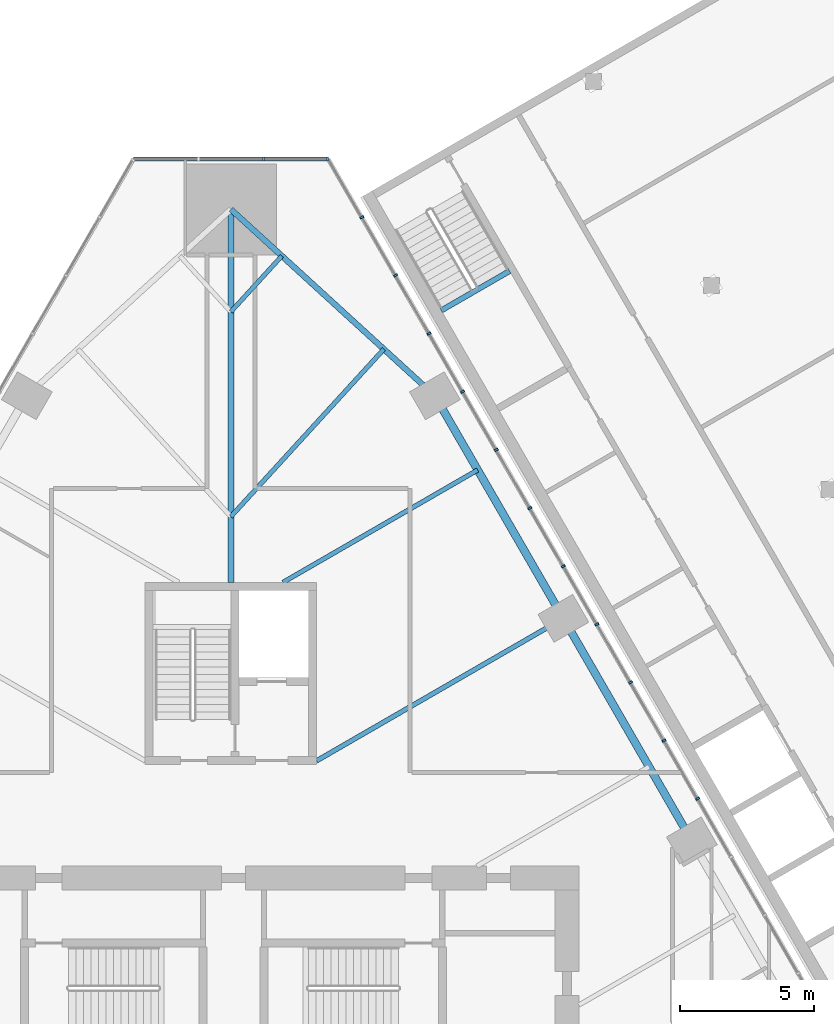
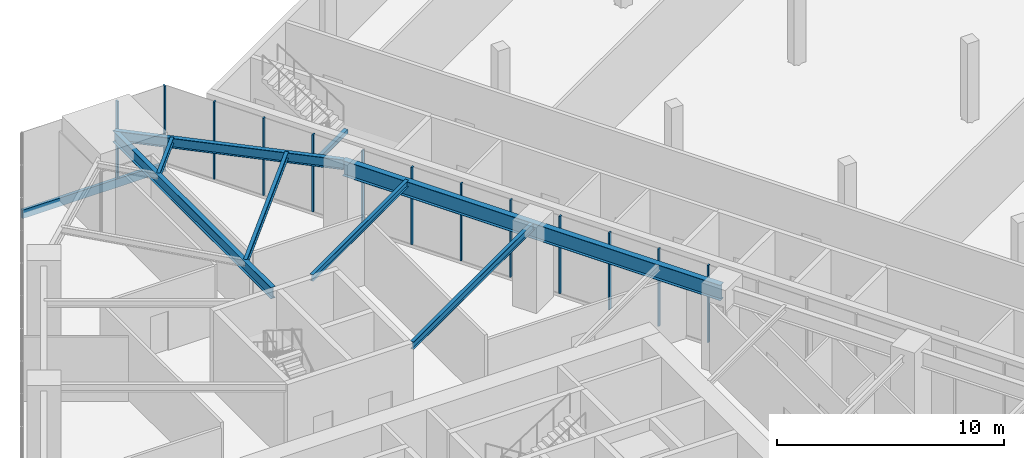
# One storey, part 12 of 29: 14 members, 8 beams, 2 elements without a shape of their own.
"""IFC4 building model written with IfcOpenShell, lengths in metres."""

from ifc_helpers import new_model, si_unit, direction, frame, origin, origin_2d, place, context, subcontext, project, spatial, rectangle, i_section, extrude, material, layer, layer_set, material_profile, profile_set, type_object, element, aggregate, save


model = new_model("IFC4")

# Units and contexts
model_context = context("Model", 3, precision=1e-05, world=origin(), true_north=direction((0.0, 1.0)))
body_context = subcontext(model_context, "Body", "Model", "MODEL_VIEW")
ifc_project = project(units=[si_unit("LENGTHUNIT", "METRE"), si_unit("AREAUNIT", "SQUARE_METRE"), si_unit("VOLUMEUNIT", "CUBIC_METRE"), si_unit("PLANEANGLEUNIT", "RADIAN"), si_unit("MASSUNIT", "GRAM", prefix="KILO")], contexts=[model_context])

# Site, building, storey
site_placement = place(None, origin())
site = spatial("IfcSite", under=ifc_project, at=site_placement, CompositionType="ELEMENT")
building_placement = place(site_placement, origin())
building = spatial("IfcBuilding", under=site, at=building_placement, Name="Firuza Gate Tower and Library", CompositionType="ELEMENT")
storey_placement = place(building_placement, frame((0.0, 0.0, 17.199951171875)))
storey = spatial("IfcBuildingStorey", under=building, at=storey_placement, Name="L03", CompositionType="ELEMENT", Elevation=17.199951171875)

# Curtain wall, members
ifc_material_1 = material(Name="Aluminium 6063-T6", Category="aluminium")
ifc_layer = layer(ifc_material_1, 0.14990234375)
ifc_layer_set = layer_set([ifc_layer], Name="Stick curtain wall, podium")
curtain_wall_type = type_object("IfcCurtainWallType", Name="Stick curtain wall, podium", PredefinedType="NOTDEFINED", material=ifc_layer_set)
placement = place(storey_placement, origin())
curtain_wall_1 = element("IfcCurtainWall", 1, at=placement, inside=storey, type_object=curtain_wall_type, Name="CW5 L03 E", PredefinedType="NOTDEFINED")
ifc_material_2 = material(Name="Aluminium 6063-T6", Category="aluminium")
ifc_material_profile_1 = material_profile(ifc_material_2, rectangle(XDim=0.14990234375, YDim=0.080078125, at=origin_2d()))
ifc_profile_set_1 = profile_set([ifc_material_profile_1], Name="Aluminium 6063-T6")
member_type_1 = type_object("IfcMemberType", Name="Curtain wall mullion 80x150", PredefinedType="MULLION", material=ifc_profile_set_1)
member_1_placement = place(storey_placement, frame((92.43798828125, 86.515869140625, 0.150146484375), z_axis=(0.0, 0.0, 1.0), x_axis=(-0.866025403784, -0.5, 0.0)))
member_1 = element("IfcMember", 2, at=member_1_placement, type_object=member_type_1, Name="Mullion", PredefinedType="MULLION", context=body_context, shape_type="SweptSolid", body=[
    extrude(rectangle(XDim=0.14990234375, YDim=0.080078125, at=origin_2d()), origin(), (0.0, 0.0, 1.0), 4.14990234375),
])
member_2_placement = place(storey_placement, frame((91.183837890625, 88.68798828125, 0.150146484375), z_axis=(0.0, 0.0, 1.0), x_axis=(-0.866025403784, -0.5, 0.0)))
member_2 = element("IfcMember", 3, at=member_2_placement, type_object=member_type_1, Name="Mullion", PredefinedType="MULLION", context=body_context, shape_type="SweptSolid", body=[
    extrude(rectangle(XDim=0.14990234375, YDim=0.080078125, at=origin_2d()), origin(), (0.0, 0.0, 1.0), 4.14990234375),
])
member_3_placement = place(storey_placement, frame((89.929931640625, 90.860107421875, 0.150146484375), z_axis=(0.0, 0.0, 1.0), x_axis=(-0.866025403784, -0.5, 0.0)))
member_3 = element("IfcMember", 4, at=member_3_placement, type_object=member_type_1, Name="Mullion", PredefinedType="MULLION", context=body_context, shape_type="SweptSolid", body=[
    extrude(rectangle(XDim=0.14990234375, YDim=0.080078125, at=origin_2d()), origin(), (0.0, 0.0, 1.0), 4.14990234375),
])
member_4_placement = place(storey_placement, frame((88.67578125, 93.0322265625, 0.150146484375), z_axis=(0.0, 0.0, 1.0), x_axis=(-0.866025403784, -0.5, 0.0)))
member_4 = element("IfcMember", 5, at=member_4_placement, type_object=member_type_1, Name="Mullion", PredefinedType="MULLION", context=body_context, shape_type="SweptSolid", body=[
    extrude(rectangle(XDim=0.14990234375, YDim=0.080078125, at=origin_2d()), origin(), (0.0, 0.0, 1.0), 4.14990234375),
])
member_5_placement = place(storey_placement, frame((87.421630859375, 95.2041015625, 0.150146484375), z_axis=(0.0, 0.0, 1.0), x_axis=(-0.866025403784, -0.5, 0.0)))
member_5 = element("IfcMember", 6, at=member_5_placement, type_object=member_type_1, Name="Mullion", PredefinedType="MULLION", context=body_context, shape_type="SweptSolid", body=[
    extrude(rectangle(XDim=0.14990234375, YDim=0.080078125, at=origin_2d()), origin(), (0.0, 0.0, 1.0), 4.14990234375),
])
member_6_placement = place(storey_placement, frame((86.167724609375, 97.376220703125, 0.150146484375), z_axis=(0.0, 0.0, 1.0), x_axis=(-0.866025403784, -0.5, 0.0)))
member_6 = element("IfcMember", 7, at=member_6_placement, type_object=member_type_1, Name="Mullion", PredefinedType="MULLION", context=body_context, shape_type="SweptSolid", body=[
    extrude(rectangle(XDim=0.14990234375, YDim=0.080078125, at=origin_2d()), origin(), (0.0, 0.0, 1.0), 4.14990234375),
])
member_7_placement = place(storey_placement, frame((84.91357421875, 99.54833984375, 0.150146484375), z_axis=(0.0, 0.0, 1.0), x_axis=(-0.866025403784, -0.5, 0.0)))
member_7 = element("IfcMember", 8, at=member_7_placement, type_object=member_type_1, Name="Mullion", PredefinedType="MULLION", context=body_context, shape_type="SweptSolid", body=[
    extrude(rectangle(XDim=0.14990234375, YDim=0.080078125, at=origin_2d()), origin(), (0.0, 0.0, 1.0), 4.14990234375),
])
member_8_placement = place(storey_placement, frame((83.659423828125, 101.720458984375, 0.150146484375), z_axis=(0.0, 0.0, 1.0), x_axis=(-0.866025403784, -0.5, 0.0)))
member_8 = element("IfcMember", 9, at=member_8_placement, type_object=member_type_1, Name="Mullion", PredefinedType="MULLION", context=body_context, shape_type="SweptSolid", body=[
    extrude(rectangle(XDim=0.14990234375, YDim=0.080078125, at=origin_2d()), origin(), (0.0, 0.0, 1.0), 4.14990234375),
])
member_9_placement = place(storey_placement, frame((82.405517578125, 103.892578125, 0.150146484375), z_axis=(0.0, 0.0, 1.0), x_axis=(-0.866025403784, -0.5, 0.0)))
member_9 = element("IfcMember", 10, at=member_9_placement, type_object=member_type_1, Name="Mullion", PredefinedType="MULLION", context=body_context, shape_type="SweptSolid", body=[
    extrude(rectangle(XDim=0.14990234375, YDim=0.080078125, at=origin_2d()), origin(), (0.0, 0.0, 1.0), 4.14990234375),
])
member_10_placement = place(storey_placement, frame((81.1513671875, 106.064697265625, 0.150146484375), z_axis=(0.0, 0.0, 1.0), x_axis=(-0.866025403784, -0.5, 0.0)))
member_10 = element("IfcMember", 11, at=member_10_placement, type_object=member_type_1, Name="Mullion", PredefinedType="MULLION", context=body_context, shape_type="SweptSolid", body=[
    extrude(rectangle(XDim=0.14990234375, YDim=0.080078125, at=origin_2d()), origin(), (0.0, 0.0, 1.0), 4.14990234375),
])
member_11_placement = place(storey_placement, frame((79.8974609375, 108.23681640625, 0.150146484375), z_axis=(0.0, 0.0, 1.0), x_axis=(-0.866025403784, -0.5, 0.0)))
member_11 = element("IfcMember", 12, at=member_11_placement, type_object=member_type_1, Name="Mullion", PredefinedType="MULLION", context=body_context, shape_type="SweptSolid", body=[
    extrude(rectangle(XDim=0.14990234375, YDim=0.080078125, at=origin_2d()), origin(), (0.0, 0.0, 1.0), 4.14990234375),
])
aggregate(curtain_wall_1, [member_1, member_2, member_3, member_4, member_5, member_6, member_7, member_8, member_9, member_10, member_11])

curtain_wall_2 = element("IfcCurtainWall", 13, at=placement, inside=storey, type_object=curtain_wall_type, Name="CW5 L03 N", PredefinedType="NOTDEFINED")
member_12_placement = place(storey_placement, frame((78.603271484375, 110.408935546875, 0.150146484375), z_axis=(0.0, 0.0, 1.0), x_axis=(0.0, -1.0, 0.0)))
member_12 = element("IfcMember", 14, at=member_12_placement, type_object=member_type_1, Name="Mullion", PredefinedType="MULLION", context=body_context, shape_type="SweptSolid", body=[
    extrude(rectangle(XDim=0.14990234375, YDim=0.080078125, at=origin_2d()), origin(), (0.0, 0.0, 1.0), 4.14990234375),
])
member_13_placement = place(storey_placement, frame((76.21435546875, 110.408935546875, 0.150146484375), z_axis=(0.0, 0.0, 1.0), x_axis=(0.0, -1.0, 0.0)))
member_13 = element("IfcMember", 15, at=member_13_placement, type_object=member_type_1, Name="Mullion", PredefinedType="MULLION", context=body_context, shape_type="SweptSolid", body=[
    extrude(rectangle(XDim=0.14990234375, YDim=0.080078125, at=origin_2d()), origin(), (0.0, 0.0, 1.0), 4.14990234375),
])
ifc_material_3 = material(Name="Aluminium 6063-T6", Category="aluminium")
ifc_material_profile_2 = material_profile(ifc_material_3, rectangle(XDim=0.14990234375, YDim=0.449951171875, at=origin_2d()))
ifc_profile_set_2 = profile_set([ifc_material_profile_2], Name="Aluminium 6063-T6")
member_type_2 = type_object("IfcMemberType", Name="Curtain wall transom 450x150", PredefinedType="USERDEFINED", material=ifc_profile_set_2)
member_14_placement = place(storey_placement, frame((78.643310546875, 110.408935546875, -0.074951171875), z_axis=(-1.0, 0.0, 0.0), x_axis=(0.0, -1.0, 0.0)))
member_14 = element("IfcMember", 16, at=member_14_placement, type_object=member_type_2, Name="Transom", ObjectType="TRANSOM", PredefinedType="USERDEFINED", context=body_context, shape_type="SweptSolid", body=[
    extrude(rectangle(XDim=0.14990234375, YDim=0.449951171875, at=origin_2d()), origin(), (0.0, 0.0, 1.0), 7.28662109375),
])
aggregate(curtain_wall_2, [member_12, member_13, member_14])

# Beams
ifc_material_4 = material(Name="Concrete C40/50", Category="concrete")
ifc_material_profile_3 = material_profile(ifc_material_4, rectangle(XDim=0.199951171875, YDim=0.199951171875, at=origin_2d()))
ifc_profile_set_3 = profile_set([ifc_material_profile_3], Name="Concrete C40/50")
beam_type_1 = type_object("IfcBeamType", Name="LIB LANDING BEARER 200X200", PredefinedType="BEAM", material=ifc_profile_set_3)
beam_1_placement = place(storey_placement, frame((82.859375, 104.75634765625, 2.0), z_axis=(0.866060182126, 0.499939757307, 0.0), x_axis=(-0.499939757307, 0.866060182126, 0.0)))
element("IfcBeam", 17, at=beam_1_placement, inside=storey, type_object=beam_type_1, Name="LIB-ST-A landing bearer L03", PredefinedType="BEAM", context=body_context, shape_type="SweptSolid", body=[
    extrude(rectangle(XDim=0.199951171875, YDim=0.199951171875, at=origin_2d()), origin(), (0.0, 0.0, 1.0), 2.949951171875),
])
ifc_material_5 = material(Name="Steel S355", Category="steel")
ifc_material_profile_4 = material_profile(ifc_material_5, i_section(OverallWidth=0.1650390625, OverallDepth=0.31005859375, WebThickness=0.005859375, FlangeThickness=0.009765625, at=origin_2d()))
ifc_profile_set_4 = profile_set([ifc_material_profile_4], Name="Steel S355")
beam_type_2 = type_object("IfcBeamType", Name="W310x39 Floor beam", PredefinedType="JOIST", material=ifc_profile_set_4)
beam_2_placement = place(storey_placement, frame((76.905029296875, 106.79296875, 4.14501953125), z_axis=(-0.674533736892, -0.738244023203, 0.0), x_axis=(0.738244023203, -0.674533736892, 0.0)))
element("IfcBeam", 18, at=beam_2_placement, inside=storey, type_object=beam_type_2, Name="Floor beam L03 s81", PredefinedType="JOIST", context=body_context, shape_type="SweptSolid", body=[
    extrude(i_section(OverallWidth=0.1650390625, OverallDepth=0.31005859375, WebThickness=0.005859375, FlangeThickness=0.009765625, at=origin_2d()), origin(), (0.0, 0.0, 1.0), 2.82421875),
])
ifc_material_6 = material(Name="Steel S355", Category="steel")
ifc_material_profile_5 = material_profile(ifc_material_6, i_section(OverallWidth=0.1708984375, OverallDepth=0.35498046875, WebThickness=0.007080078125, FlangeThickness=0.01171875, at=origin_2d()))
ifc_profile_set_5 = profile_set([ifc_material_profile_5], Name="Steel S355")
beam_type_3 = type_object("IfcBeamType", Name="W360x51 Floor beam", PredefinedType="JOIST", material=ifc_profile_set_5)
beam_3_placement = place(storey_placement, frame((84.220458984375, 98.798828125, 4.12255859375), z_axis=(-0.866019517829, -0.500010194636, 0.0), x_axis=(0.500010194636, -0.866019517829, 0.0)))
element("IfcBeam", 19, at=beam_3_placement, inside=storey, type_object=beam_type_3, Name="Floor beam L03 s75", PredefinedType="JOIST", context=body_context, shape_type="SweptSolid", body=[
    extrude(i_section(OverallWidth=0.1708984375, OverallDepth=0.35498046875, WebThickness=0.007080078125, FlangeThickness=0.01171875, at=origin_2d()), origin(), (0.0, 0.0, 1.0), 8.397216796875),
])
beam_4_placement = place(storey_placement, frame((80.71533203125, 103.31103515625, 4.12255859375), z_axis=(-0.674578139258, -0.7382034503, 0.0), x_axis=(0.7382034503, -0.674578139258, 0.0)))
element("IfcBeam", 20, at=beam_4_placement, inside=storey, type_object=beam_type_3, Name="Floor beam L03 s80", PredefinedType="JOIST", context=body_context, shape_type="SweptSolid", body=[
    extrude(i_section(OverallWidth=0.1708984375, OverallDepth=0.35498046875, WebThickness=0.007080078125, FlangeThickness=0.01171875, at=origin_2d()), origin(), (0.0, 0.0, 1.0), 8.472412109375),
])
ifc_material_7 = material(Name="Steel S355", Category="steel")
ifc_material_profile_6 = material_profile(ifc_material_7, i_section(OverallWidth=0.177978515625, OverallDepth=0.406982421875, WebThickness=0.0078125, FlangeThickness=0.0126953125, at=origin_2d()))
ifc_profile_set_6 = profile_set([ifc_material_profile_6], Name="Steel S355")
beam_type_4 = type_object("IfcBeamType", Name="W410x60 Floor beam", PredefinedType="JOIST", material=ifc_profile_set_6)
beam_5_placement = place(storey_placement, frame((87.420654296875, 93.256103515625, 4.096435546875), z_axis=(-0.866029027547, -0.499993723407, 0.0), x_axis=(0.499993723407, -0.866029027547, 0.0)))
element("IfcBeam", 21, at=beam_5_placement, inside=storey, type_object=beam_type_4, Name="Floor beam L03 s74", PredefinedType="JOIST", context=body_context, shape_type="SweptSolid", body=[
    extrude(i_section(OverallWidth=0.177978515625, OverallDepth=0.406982421875, WebThickness=0.0078125, FlangeThickness=0.0126953125, at=origin_2d()), origin(), (0.0, 0.0, 1.0), 10.647216796875),
])
ifc_material_8 = material(Name="Steel S355", Category="steel")
ifc_material_profile_7 = material_profile(ifc_material_8, i_section(OverallWidth=0.212890625, OverallDepth=0.5390625, WebThickness=0.01171875, FlangeThickness=0.018798828125, at=origin_2d()))
ifc_profile_set_7 = profile_set([ifc_material_profile_7], Name="Steel S355")
beam_type_5 = type_object("IfcBeamType", Name="W530x109 Edge beam", PredefinedType="SPANDREL", material=ifc_profile_set_7)
beam_6_placement = place(storey_placement, frame((82.62060546875, 101.570068359375, 4.030517578125), z_axis=(-0.738199730284, 0.674582210118, 0.0), x_axis=(-0.674582210118, -0.738199730284, 0.0)))
element("IfcBeam", 22, at=beam_6_placement, inside=storey, type_object=beam_type_5, Name="Edge beam L03 e80", PredefinedType="SPANDREL", context=body_context, shape_type="SweptSolid", body=[
    extrude(i_section(OverallWidth=0.212890625, OverallDepth=0.5390625, WebThickness=0.01171875, FlangeThickness=0.018798828125, at=origin_2d()), origin(), (0.0, 0.0, 1.0), 10.3232421875),
])
ifc_material_9 = material(Name="Steel S355", Category="steel")
ifc_material_profile_8 = material_profile(ifc_material_9, i_section(OverallWidth=0.22802734375, OverallDepth=0.60302734375, WebThickness=0.010498046875, FlangeThickness=0.014892578125, at=origin_2d()))
ifc_profile_set_8 = profile_set([ifc_material_profile_8], Name="Steel S355")
beam_type_6 = type_object("IfcBeamType", Name="W610x101 Girder", PredefinedType="BEAM", material=ifc_profile_set_8)
beam_7_placement = place(storey_placement, frame((75.0, 108.533935546875, 3.99853515625), z_axis=(0.0, -1.0, 0.0), x_axis=(1.0, 0.0, 0.0)))
element("IfcBeam", 23, at=beam_7_placement, inside=storey, type_object=beam_type_6, Name="Girder L03 gN", PredefinedType="BEAM", context=body_context, shape_type="SweptSolid", body=[
    extrude(i_section(OverallWidth=0.22802734375, OverallDepth=0.60302734375, WebThickness=0.010498046875, FlangeThickness=0.014892578125, at=origin_2d()), origin(), (0.0, 0.0, 1.0), 13.933837890625),
])
ifc_material_10 = material(Name="Steel S355", Category="steel")
ifc_material_profile_9 = material_profile(ifc_material_10, i_section(OverallWidth=0.2919921875, OverallDepth=0.8349609375, WebThickness=0.013916015625, FlangeThickness=0.018798828125, at=origin_2d()))
ifc_profile_set_9 = profile_set([ifc_material_profile_9], Name="Steel S355")
beam_type_7 = type_object("IfcBeamType", Name="W840x176 Edge beam", PredefinedType="SPANDREL", material=ifc_profile_set_9)
beam_8_placement = place(storey_placement, frame((92.220458984375, 84.9423828125, 3.882568359375), z_axis=(-0.499994327668, 0.866028678682, 0.0), x_axis=(-0.866028678682, -0.499994327668, 0.0)))
element("IfcBeam", 24, at=beam_8_placement, inside=storey, type_object=beam_type_7, Name="Edge beam L03 e72", PredefinedType="SPANDREL", context=body_context, shape_type="SweptSolid", body=[
    extrude(i_section(OverallWidth=0.2919921875, OverallDepth=0.8349609375, WebThickness=0.013916015625, FlangeThickness=0.018798828125, at=origin_2d()), origin(), (0.0, 0.0, 1.0), 19.199951171875),
])

save(model, "model.ifc")
